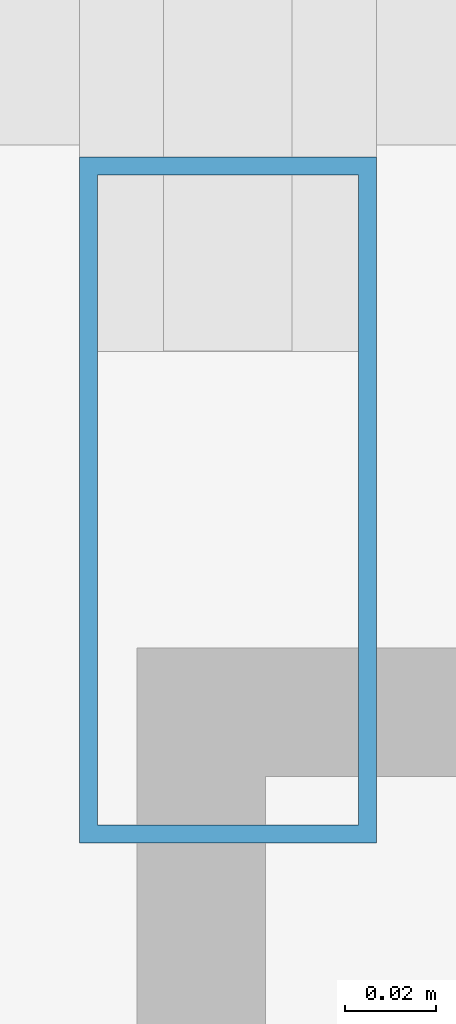
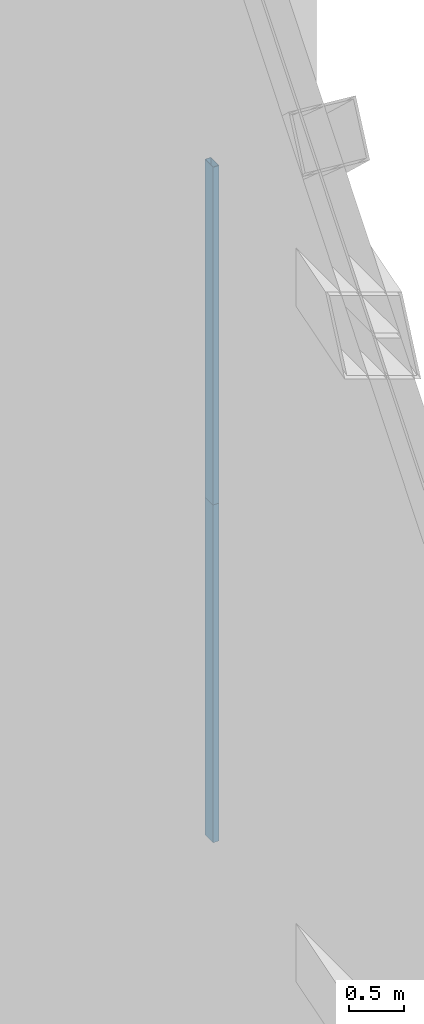
# One storey, part 11 of 28: 2 members, 2 elements without a shape of their own.
"""IFC4 building model written with IfcOpenShell, lengths in metres."""

from ifc_helpers import new_model, si_unit, direction, frame, origin, origin_2d, place, context, subcontext, project, spatial, hollow_rectangle, extrude, material, material_profile, profile_set, type_object, element, aggregate, save


model = new_model("IFC4")

# Units and contexts
model_context = context("Model", 3, precision=1e-05, world=origin(), true_north=direction((0.0, 1.0)))
body_context = subcontext(model_context, "Body", "Model", "MODEL_VIEW")
ifc_project = project(units=[si_unit("LENGTHUNIT", "METRE"), si_unit("AREAUNIT", "SQUARE_METRE"), si_unit("VOLUMEUNIT", "CUBIC_METRE"), si_unit("PLANEANGLEUNIT", "RADIAN"), si_unit("MASSUNIT", "GRAM", prefix="KILO")], contexts=[model_context])

# Site, building, storey
site_placement = place(None, origin())
site = spatial("IfcSite", under=ifc_project, at=site_placement, CompositionType="ELEMENT")
building_placement = place(site_placement, origin())
building = spatial("IfcBuilding", under=site, at=building_placement, Name="Tashvorn Skyway Center", CompositionType="ELEMENT")
storey_placement = place(building_placement, frame((0.0, 0.0, 277.60009765625)))
storey = spatial("IfcBuildingStorey", under=building, at=storey_placement, Name="Roof Level", CompositionType="ELEMENT", Elevation=277.60009765625)

# Curtain wall, member
ifc_material = material(Name="Thermally broken bronze-anodized aluminium 6063-T6", Category="aluminium")
curtain_wall_type = type_object("IfcCurtainWallType", Name="CW-CW-SKY", PredefinedType="NOTDEFINED", material=ifc_material)
curtain_wall_1_placement = place(storey_placement, origin())
curtain_wall_1 = element("IfcCurtainWall", 1, at=curtain_wall_1_placement, inside=storey, type_object=curtain_wall_type, Name="CROWN Lantern Fritted Curtain Wall T1 E-3", PredefinedType="NOTDEFINED")
ifc_material_profile = material_profile(ifc_material, hollow_rectangle(XDim=0.06494140625, YDim=0.14990234375, WallThickness=0.00390625, at=origin_2d()), Name="ALU-MULL-65x150")
ifc_profile_set = profile_set([ifc_material_profile], Name="Thermally broken bronze-anodized aluminium 6063-T6")
member_type = type_object("IfcMemberType", Name="CWM-CW-SKY", PredefinedType="MULLION", material=ifc_profile_set)
member_1_placement = place(storey_placement, frame((56.219970703125, 26.982421875, 7.52978515625), z_axis=(0.0, 0.0, 1.0), x_axis=(1.0, 0.0, 0.0)))
member_1 = element("IfcMember", 2, at=member_1_placement, type_object=member_type, Name="CW-SKY mullion 3", PredefinedType="MULLION", context=body_context, shape_type="SweptSolid", body=[
    extrude(hollow_rectangle(XDim=0.06494140625, YDim=0.14990234375, WallThickness=0.00390625, at=origin_2d()), origin(), (0.0, 0.0, 1.0), 3.76513671875),
])
aggregate(curtain_wall_1, [member_1])

curtain_wall_2_placement = place(storey_placement, origin())
curtain_wall_2 = element("IfcCurtainWall", 3, at=curtain_wall_2_placement, inside=storey, type_object=curtain_wall_type, Name="CROWN Lantern Fritted Curtain Wall T1 E-4", PredefinedType="NOTDEFINED")
member_2_placement = place(storey_placement, frame((56.219970703125, 26.982421875, 11.294921875), z_axis=(0.0, 0.0, 1.0), x_axis=(1.0, 0.0, 0.0)))
member_2 = element("IfcMember", 4, at=member_2_placement, type_object=member_type, Name="CW-SKY mullion 3", PredefinedType="MULLION", context=body_context, shape_type="SweptSolid", body=[
    extrude(hollow_rectangle(XDim=0.06494140625, YDim=0.14990234375, WallThickness=0.00390625, at=origin_2d()), origin(), (0.0, 0.0, 1.0), 3.764892578125),
])
aggregate(curtain_wall_2, [member_2])

save(model, "model.ifc")
